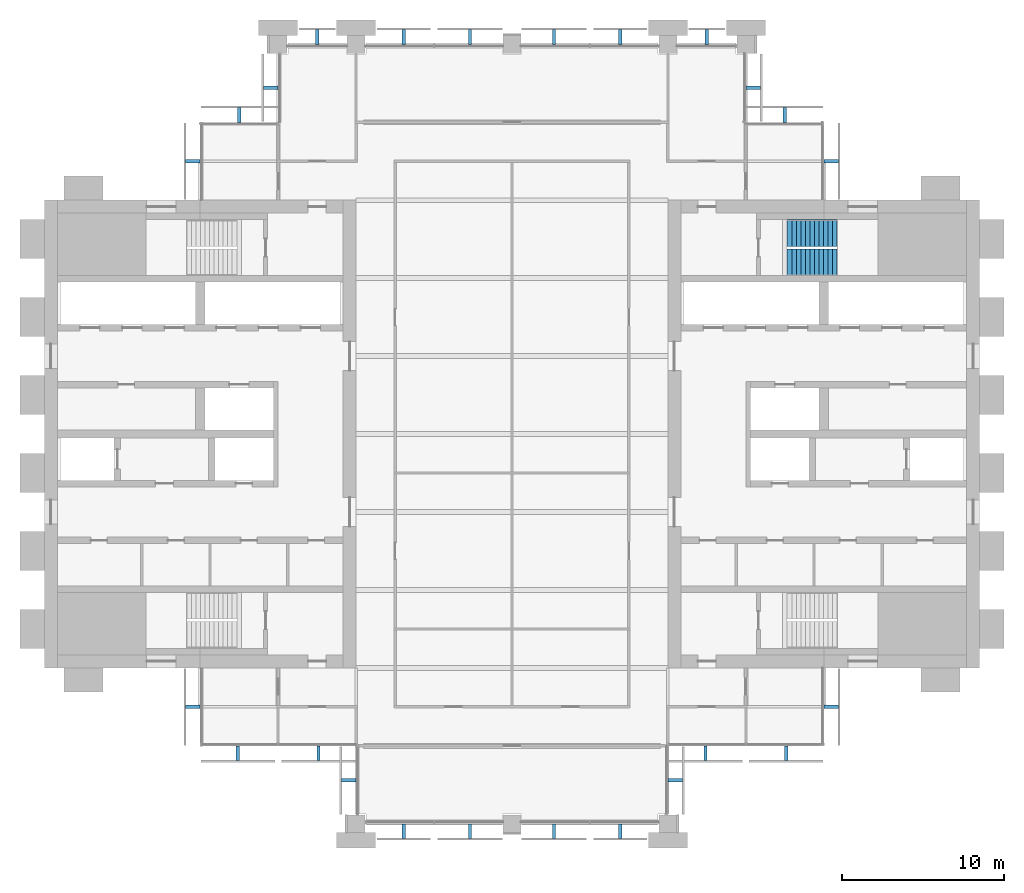
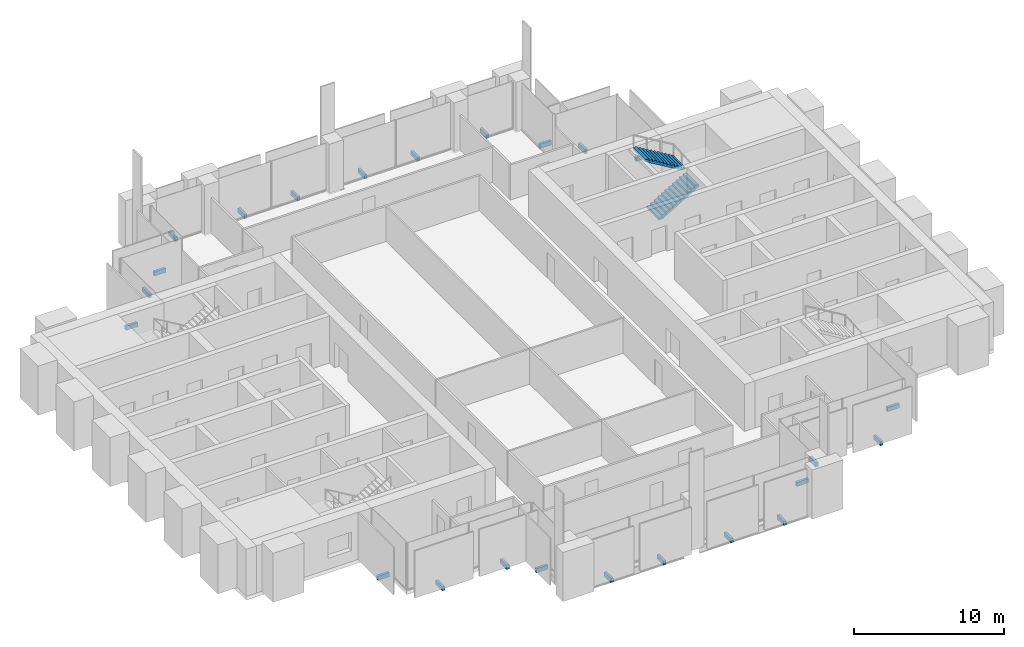
# One storey, part 12 of 13: 24 discrete accessories, 2 stair flights, 1 element without a shape of its own.
"""IFC4 building model written with IfcOpenShell, lengths in metres."""

from ifc_helpers import new_model, si_unit, direction, frame, origin, origin_2d, place, context, subcontext, project, spatial, polyline, rectangle, outline, extrude, material, type_object, element, aggregate, save


model = new_model("IFC4")

# Units and contexts
model_context = context("Model", 3, precision=1e-05, world=origin(), true_north=direction((0.0, 1.0)))
body_context = subcontext(model_context, "Body", "Model", "MODEL_VIEW")
ifc_project = project(units=[si_unit("LENGTHUNIT", "METRE"), si_unit("AREAUNIT", "SQUARE_METRE"), si_unit("VOLUMEUNIT", "CUBIC_METRE"), si_unit("PLANEANGLEUNIT", "RADIAN"), si_unit("MASSUNIT", "GRAM", prefix="KILO")], contexts=[model_context])

# Site, building, storey
site_placement = place(None, origin())
site = spatial("IfcSite", under=ifc_project, at=site_placement, CompositionType="ELEMENT")
building_placement = place(site_placement, origin())
building = spatial("IfcBuilding", under=site, at=building_placement, Name="Baori Bourse Tower", CompositionType="ELEMENT")
storey_placement = place(building_placement, frame((0.0, 0.0, 193.199951171875)))
storey = spatial("IfcBuildingStorey", under=building, at=storey_placement, Name="L41", CompositionType="ELEMENT", Elevation=193.199951171875)

# Stair, stair flights
ifc_material_1 = material(Name="Concrete f'c 50 MPa", Category="concrete")
stair_type = type_object("IfcStairType", Name="Core stair", PredefinedType="HALF_TURN_STAIR", material=ifc_material_1)
stair_placement = place(storey_placement, origin())
stair = element("IfcStair", 1, at=stair_placement, inside=storey, type_object=stair_type, Name="L41 Stair EB", PredefinedType="HALF_TURN_STAIR")
ifc_material_2 = material(Name="Concrete f'c 50 MPa", Category="concrete")
stair_flight_type = type_object("IfcStairFlightType", Name="Core stair flight", PredefinedType="STRAIGHT", material=ifc_material_2)
stair_flight_1_placement = place(storey_placement, frame((45.75, 34.574951171875, 0.0), z_axis=(0.0, 0.0, 1.0), x_axis=(1.0, 0.0, 0.0)))
stair_flight_1 = element("IfcStairFlight", 2, at=stair_flight_1_placement, type_object=stair_flight_type, Name="ST4 flight 1", NumberOfRisers=12, NumberOfTreads=11, PredefinedType="STRAIGHT", RiserHeight=0.166666667, TreadLength=0.28, context=body_context, shape_type="SweptSolid", body=[
    extrude(outline(polyline([(0.0, 0.0), (0.0, 0.166748046875), (0.280029296875, 0.166748046875), (0.280029296875, 0.333251953125), (0.56005859375, 0.333251953125), (0.56005859375, 0.5), (0.840087890625, 0.5), (0.840087890625, 0.666748046875), (1.1201171875, 0.666748046875), (1.1201171875, 0.833251953125), (1.39990234375, 0.833251953125), (1.39990234375, 1.0), (1.679931640625, 1.0), (1.679931640625, 1.166748046875), (1.9599609375, 1.166748046875), (1.9599609375, 1.333251953125), (2.239990234375, 1.333251953125), (2.239990234375, 1.5), (2.52001953125, 1.5), (2.52001953125, 1.666748046875), (2.800048828125, 1.666748046875), (2.800048828125, 1.833251953125), (3.080078125, 1.833251953125), (3.080078125, 2.0), (3.080078125, 1.658935546875), (0.29296875, 0.0), (0.0, 0.0)])), frame((0.0, 0.824951171875, 0.0), z_axis=(0.0, -1.0, 0.0), x_axis=(1.0, 0.0, 0.0)), (0.0, 0.0, 1.0), 1.64990234375),
])
stair_flight_2_placement = place(storey_placement, frame((48.830078125, 36.375, 2.0), z_axis=(0.0, 0.0, 1.0), x_axis=(-1.0, 0.0, 0.0)))
stair_flight_2 = element("IfcStairFlight", 3, at=stair_flight_2_placement, type_object=stair_flight_type, Name="ST4 flight 2", NumberOfRisers=12, NumberOfTreads=11, PredefinedType="STRAIGHT", RiserHeight=0.166666667, TreadLength=0.28, context=body_context, shape_type="SweptSolid", body=[
    extrude(outline(polyline([(0.0, 0.0), (0.0, 0.166748046875), (0.280029296875, 0.166748046875), (0.280029296875, 0.333251953125), (0.56005859375, 0.333251953125), (0.56005859375, 0.5), (0.840087890625, 0.5), (0.840087890625, 0.666748046875), (1.1201171875, 0.666748046875), (1.1201171875, 0.833251953125), (1.39990234375, 0.833251953125), (1.39990234375, 1.0), (1.679931640625, 1.0), (1.679931640625, 1.166748046875), (1.9599609375, 1.166748046875), (1.9599609375, 1.333251953125), (2.239990234375, 1.333251953125), (2.239990234375, 1.5), (2.52001953125, 1.5), (2.52001953125, 1.666748046875), (2.800048828125, 1.666748046875), (2.800048828125, 1.833251953125), (3.080078125, 1.833251953125), (3.080078125, 2.0), (3.080078125, 1.658935546875), (0.29296875, 0.0), (0.0, 0.0)])), frame((0.0, 0.824951171875, 0.0), z_axis=(0.0, -1.0, 0.0), x_axis=(1.0, 0.0, 0.0)), (0.0, 0.0, 1.0), 1.64990234375),
])
aggregate(stair, [stair_flight_1, stair_flight_2])

# Discrete accessories
ifc_material_3 = material(Name="Pale anodised aluminium", Category="aluminium")
discrete_accessory_type = type_object("IfcDiscreteAccessoryType", Name="OS2 Outer skin bracket", PredefinedType="BRACKET", material=ifc_material_3)
for number, where, z_axis, x_axis, name in (
    (4, (48.449951171875, 40.800048828125, -0.240234375), (0.0, 0.0, 1.0), (0.0, 1.0, 0.0), "Outer skin bracket L41 1"),
    (5, (45.60009765625, 43.64990234375, -0.240234375), (0.0, 0.0, 1.0), (-1.0, 0.0, 0.0), "Outer skin bracket L41 2"),
    (6, (43.64990234375, 45.324951171875, -0.240234375), (0.0, 0.0, 1.0), (0.0, 1.0, 0.0), "Outer skin bracket L41 3"),
    (7, (40.800048828125, 48.449951171875, -0.240234375), (0.0, 0.0, 1.0), (-1.0, 0.0, 0.0), "Outer skin bracket L41 4"),
    (8, (35.46240234375, 48.449951171875, -0.240234375), (0.0, 0.0, 1.0), (-1.0, 0.0, 0.0), "Outer skin bracket L41 5"),
    (9, (31.387451171875, 48.449951171875, -0.240234375), (0.0, 0.0, 1.0), (-1.0, 0.0, 0.0), "Outer skin bracket L41 6"),
    (10, (26.21240234375, 48.449951171875, -0.240234375), (0.0, 0.0, 1.0), (-1.0, 0.0, 0.0), "Outer skin bracket L41 7"),
    (11, (22.137451171875, 48.449951171875, -0.240234375), (0.0, 0.0, 1.0), (-1.0, 0.0, 0.0), "Outer skin bracket L41 8"),
    (12, (16.800048828125, 48.449951171875, -0.240234375), (0.0, 0.0, 1.0), (-1.0, 0.0, 0.0), "Outer skin bracket L41 9"),
    (13, (13.949951171875, 45.324951171875, -0.240234375), (0.0, 0.0, 1.0), (0.0, -1.0, 0.0), "Outer skin bracket L41 10"),
    (14, (12.0, 43.64990234375, -0.240234375), (0.0, 0.0, 1.0), (-1.0, 0.0, 0.0), "Outer skin bracket L41 11"),
    (15, (9.14990234375, 40.800048828125, -0.240234375), (0.0, 0.0, 1.0), (0.0, -1.0, 0.0), "Outer skin bracket L41 12"),
    (16, (9.14990234375, 7.199951171875, -0.240234375), (0.0, 0.0, 1.0), (0.0, -1.0, 0.0), "Outer skin bracket L41 13"),
    (17, (11.91259765625, 4.35009765625, -0.240234375), (0.0, 0.0, 1.0), (1.0, 0.0, 0.0), "Outer skin bracket L41 14"),
    (18, (16.887451171875, 4.35009765625, -0.240234375), (0.0, 0.0, 1.0), (1.0, 0.0, 0.0), "Outer skin bracket L41 15"),
    (19, (18.75, 2.675048828125, -0.240234375), (0.0, 0.0, 1.0), (0.0, -1.0, 0.0), "Outer skin bracket L41 16"),
    (20, (22.137451171875, -0.449951171875, -0.240234375), (0.0, 0.0, 1.0), (1.0, 0.0, 0.0), "Outer skin bracket L41 17"),
    (21, (26.21240234375, -0.449951171875, -0.240234375), (0.0, 0.0, 1.0), (1.0, 0.0, 0.0), "Outer skin bracket L41 18"),
    (22, (31.387451171875, -0.449951171875, -0.240234375), (0.0, 0.0, 1.0), (1.0, 0.0, 0.0), "Outer skin bracket L41 19"),
    (23, (35.46240234375, -0.449951171875, -0.240234375), (0.0, 0.0, 1.0), (1.0, 0.0, 0.0), "Outer skin bracket L41 20"),
    (24, (38.85009765625, 2.675048828125, -0.240234375), (0.0, 0.0, 1.0), (0.0, 1.0, 0.0), "Outer skin bracket L41 21"),
    (25, (40.71240234375, 4.35009765625, -0.240234375), (0.0, 0.0, 1.0), (1.0, 0.0, 0.0), "Outer skin bracket L41 22"),
    (26, (45.6875, 4.35009765625, -0.240234375), (0.0, 0.0, 1.0), (1.0, 0.0, 0.0), "Outer skin bracket L41 23"),
    (27, (48.449951171875, 7.199951171875, -0.240234375), (0.0, 0.0, 1.0), (0.0, 1.0, 0.0), "Outer skin bracket L41 24"),
):
    element("IfcDiscreteAccessory", number, at=place(storey_placement, frame(where, z_axis=z_axis, x_axis=x_axis)), inside=storey, type_object=discrete_accessory_type, Name=name, PredefinedType="BRACKET", context=body_context, shape_type="SweptSolid", body=[
        extrude(rectangle(XDim=0.199951171875, YDim=0.89990234375, at=origin_2d()), origin(), (0.0, 0.0, 1.0), 0.340087890625),
    ])

save(model, "model.ifc")
